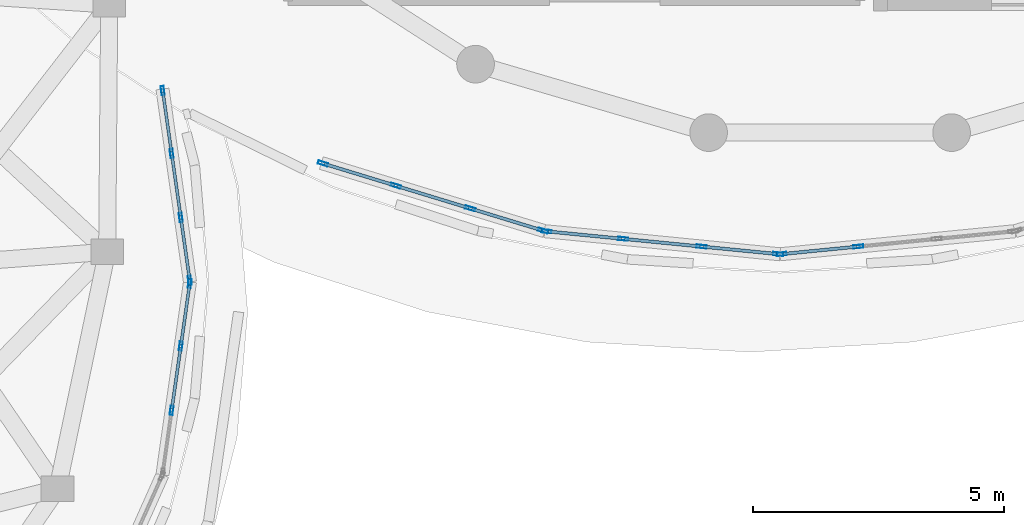
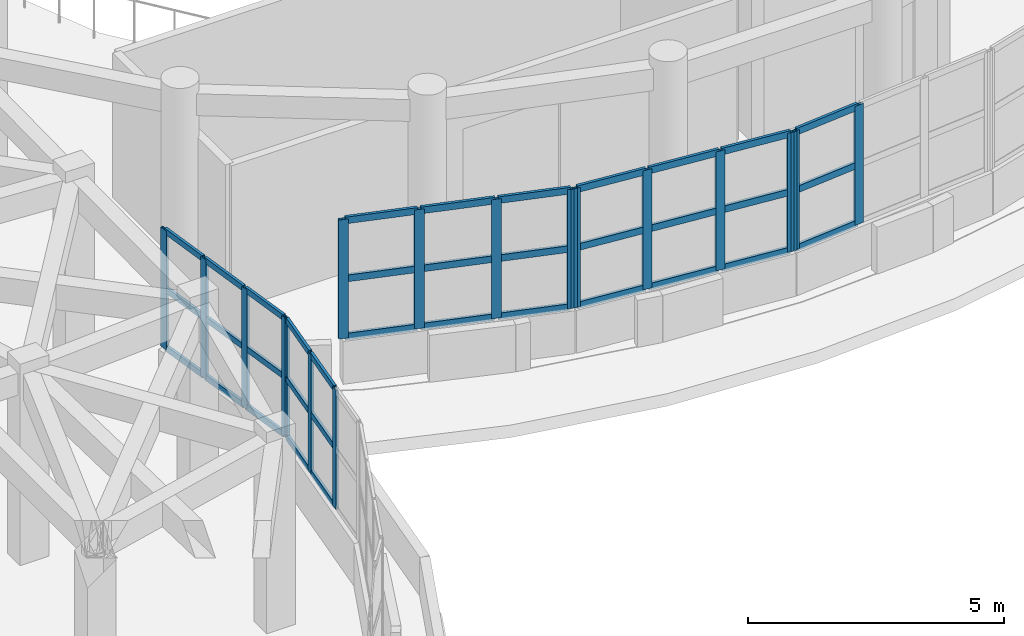
# One storey, part 20 of 98: 53 members, 5 elements without a shape of their own.
"""IFC4 building model written with IfcOpenShell, lengths in metres."""

from ifc_helpers import new_model, si_unit, direction, frame, origin, origin_2d, place, context, subcontext, project, spatial, hollow_rectangle, extrude, material, layer, layer_set, material_profile, profile_set, type_object, element, aggregate, save


model = new_model("IFC4")

# Units and contexts
model_context = context("Model", 3, precision=1e-05, world=origin(), true_north=direction((0.0, 1.0)))
body_context = subcontext(model_context, "Body", "Model", "MODEL_VIEW")
ifc_project = project(units=[si_unit("LENGTHUNIT", "METRE"), si_unit("AREAUNIT", "SQUARE_METRE"), si_unit("VOLUMEUNIT", "CUBIC_METRE"), si_unit("PLANEANGLEUNIT", "RADIAN"), si_unit("MASSUNIT", "GRAM", prefix="KILO")], contexts=[model_context])

# Site, building, storey
site_placement = place(None, origin())
site = spatial("IfcSite", under=ifc_project, at=site_placement, CompositionType="ELEMENT")
building_placement = place(site_placement, origin())
building = spatial("IfcBuilding", under=site, at=building_placement, Name="Pelvatis Terrace Science Centre", CompositionType="ELEMENT")
storey_placement = place(building_placement, frame((0.0, 0.0, 5.39990234375)))
storey = spatial("IfcBuildingStorey", under=building, at=storey_placement, Name="L01", CompositionType="ELEMENT", Elevation=5.39990234375)

# Curtain wall, members
ifc_material_1 = material(Name="Bronze-anodised aluminium and laminated glass", Category="aluminium")
ifc_layer_1 = layer(ifc_material_1, 0.179931640625)
ifc_layer_set_1 = layer_set([ifc_layer_1], Name="Bronze-anodised aluminium and laminated glass")
curtain_wall_type_1 = type_object("IfcCurtainWallType", Name="CW-RIBBON-A", PredefinedType="NOTDEFINED", material=ifc_layer_set_1)
curtain_wall_1_placement = place(storey_placement, origin())
curtain_wall_1 = element("IfcCurtainWall", 1, at=curtain_wall_1_placement, inside=storey, type_object=curtain_wall_type_1, Name="Ribbon curtain wall CW-022 (L01)", PredefinedType="NOTDEFINED")
ifc_material_2 = material(Name="Bronze-anodised aluminium 6063-T6", Category="aluminium")
ifc_material_profile_1 = material_profile(ifc_material_2, hollow_rectangle(XDim=0.06005859375, YDim=0.179931640625, WallThickness=0.00390625, at=origin_2d()), Name="ALU-MUL 60x180")
ifc_profile_set_1 = profile_set([ifc_material_profile_1], Name="Bronze-anodised aluminium 6063-T6")
member_type_1 = type_object("IfcMemberType", Name="CWM-60x180", PredefinedType="MULLION", material=ifc_profile_set_1)
member_1_placement = place(storey_placement, frame((65.245849609375, 34.82958984375, 1.02001953125), z_axis=(0.0, 0.0, 1.0), x_axis=(-0.989986059839, -0.141165156196, 0.0)))
member_1 = element("IfcMember", 2, at=member_1_placement, type_object=member_type_1, Name="CW-022 mullion 1", PredefinedType="MULLION", context=body_context, shape_type="SweptSolid", body=[
    extrude(hollow_rectangle(XDim=0.06005859375, YDim=0.179931640625, WallThickness=0.00390625, at=origin_2d()), origin(), (0.0, 0.0, 1.0), 2.840087890625),
])
member_2_placement = place(storey_placement, frame((65.0673828125, 36.080322265625, 1.02001953125), z_axis=(0.0, 0.0, 1.0), x_axis=(-0.989986059839, -0.141165156196, 0.0)))
member_2 = element("IfcMember", 3, at=member_2_placement, type_object=member_type_1, Name="CW-022 mullion 2", PredefinedType="MULLION", context=body_context, shape_type="SweptSolid", body=[
    extrude(hollow_rectangle(XDim=0.06005859375, YDim=0.179931640625, WallThickness=0.00390625, at=origin_2d()), origin(), (0.0, 0.0, 1.0), 2.840087890625),
])
member_3_placement = place(storey_placement, frame((64.884765625, 37.360595703125, 1.02001953125), z_axis=(0.0, 0.0, 1.0), x_axis=(-0.989986059839, -0.141165156196, 0.0)))
member_3 = element("IfcMember", 4, at=member_3_placement, type_object=member_type_1, Name="CW-022 mullion 3", PredefinedType="MULLION", context=body_context, shape_type="SweptSolid", body=[
    extrude(hollow_rectangle(XDim=0.06005859375, YDim=0.179931640625, WallThickness=0.00390625, at=origin_2d()), origin(), (0.0, 0.0, 1.0), 2.840087890625),
])
member_4_placement = place(storey_placement, frame((64.70654296875, 38.611328125, 1.02001953125), z_axis=(0.0, 0.0, 1.0), x_axis=(-0.989986059839, -0.141165156196, 0.0)))
member_4 = element("IfcMember", 5, at=member_4_placement, type_object=member_type_1, Name="CW-022 mullion 4", PredefinedType="MULLION", context=body_context, shape_type="SweptSolid", body=[
    extrude(hollow_rectangle(XDim=0.06005859375, YDim=0.179931640625, WallThickness=0.00390625, at=origin_2d()), origin(), (0.0, 0.0, 1.0), 2.840087890625),
])

curtain_wall_2_placement = place(storey_placement, origin())
curtain_wall_2 = element("IfcCurtainWall", 6, at=curtain_wall_2_placement, inside=storey, type_object=curtain_wall_type_1, Name="Ribbon curtain wall CW-042 (L01)", PredefinedType="NOTDEFINED")
member_5_placement = place(storey_placement, frame((64.884765625, 32.2392578125, 1.02001953125), z_axis=(0.0, 0.0, 1.0), x_axis=(-0.989986059839, 0.141165156196, 0.0)))
member_5 = element("IfcMember", 7, at=member_5_placement, type_object=member_type_1, Name="CW-042 mullion 2", PredefinedType="MULLION", context=body_context, shape_type="SweptSolid", body=[
    extrude(hollow_rectangle(XDim=0.06005859375, YDim=0.179931640625, WallThickness=0.00390625, at=origin_2d()), origin(), (0.0, 0.0, 1.0), 2.840087890625),
])
member_6_placement = place(storey_placement, frame((65.0673828125, 33.519775390625, 1.02001953125), z_axis=(0.0, 0.0, 1.0), x_axis=(-0.989986059839, 0.141165156196, 0.0)))
member_6 = element("IfcMember", 8, at=member_6_placement, type_object=member_type_1, Name="CW-042 mullion 3", PredefinedType="MULLION", context=body_context, shape_type="SweptSolid", body=[
    extrude(hollow_rectangle(XDim=0.06005859375, YDim=0.179931640625, WallThickness=0.00390625, at=origin_2d()), origin(), (0.0, 0.0, 1.0), 2.840087890625),
])
member_7_placement = place(storey_placement, frame((65.245849609375, 34.770263671875, 1.02001953125), z_axis=(0.0, 0.0, 1.0), x_axis=(-0.989986059839, 0.141165156196, 0.0)))
member_7 = element("IfcMember", 9, at=member_7_placement, type_object=member_type_1, Name="CW-042 mullion 4", PredefinedType="MULLION", context=body_context, shape_type="SweptSolid", body=[
    extrude(hollow_rectangle(XDim=0.06005859375, YDim=0.179931640625, WallThickness=0.00390625, at=origin_2d()), origin(), (0.0, 0.0, 1.0), 2.840087890625),
])

ifc_material_3 = material(Name="Bronze-anodised aluminium and laminated glass", Category="aluminium")
ifc_layer_2 = layer(ifc_material_3, 0.199951171875)
ifc_layer_set_2 = layer_set([ifc_layer_2], Name="Bronze-anodised aluminium and laminated glass")
curtain_wall_type_2 = type_object("IfcCurtainWallType", Name="CW-RIBBON-B", PredefinedType="NOTDEFINED", material=ifc_layer_set_2)
curtain_wall_3_placement = place(storey_placement, origin())
curtain_wall_3 = element("IfcCurtainWall", 10, at=curtain_wall_3_placement, inside=storey, type_object=curtain_wall_type_2, Name="Ribbon curtain wall CW-068 (L01)", PredefinedType="NOTDEFINED")
ifc_material_4 = material(Name="Bronze-anodised aluminium 6063-T6", Category="aluminium")
ifc_material_profile_2 = material_profile(ifc_material_4, hollow_rectangle(XDim=0.06494140625, YDim=0.199951171875, WallThickness=0.00439453125, at=origin_2d()), Name="ALU-MUL 65x200")
ifc_profile_set_2 = profile_set([ifc_material_profile_2], Name="Bronze-anodised aluminium 6063-T6")
member_type_2 = type_object("IfcMemberType", Name="CWM-65x200", PredefinedType="MULLION", material=ifc_profile_set_2)
member_8_placement = place(storey_placement, frame((67.897705078125, 37.15771484375, 1.02001953125), z_axis=(0.0, 0.0, 1.0), x_axis=(0.291750973492, 0.956494312302, 0.0)))
member_8 = element("IfcMember", 11, at=member_8_placement, type_object=member_type_2, Name="CW-068 mullion 1", PredefinedType="MULLION", context=body_context, shape_type="SweptSolid", body=[
    extrude(hollow_rectangle(XDim=0.06494140625, YDim=0.199951171875, WallThickness=0.00439453125, at=origin_2d()), origin(), (0.0, 0.0, 1.0), 2.840087890625),
])
member_9_placement = place(storey_placement, frame((69.349853515625, 36.71484375, 1.02001953125), z_axis=(0.0, 0.0, 1.0), x_axis=(0.291750973492, 0.956494312302, 0.0)))
member_9 = element("IfcMember", 12, at=member_9_placement, type_object=member_type_2, Name="CW-068 mullion 2", PredefinedType="MULLION", context=body_context, shape_type="SweptSolid", body=[
    extrude(hollow_rectangle(XDim=0.06494140625, YDim=0.199951171875, WallThickness=0.00439453125, at=origin_2d()), origin(), (0.0, 0.0, 1.0), 2.840087890625),
])
member_10_placement = place(storey_placement, frame((70.832763671875, 36.262451171875, 1.02001953125), z_axis=(0.0, 0.0, 1.0), x_axis=(0.291750973492, 0.956494312302, 0.0)))
member_10 = element("IfcMember", 13, at=member_10_placement, type_object=member_type_2, Name="CW-068 mullion 3", PredefinedType="MULLION", context=body_context, shape_type="SweptSolid", body=[
    extrude(hollow_rectangle(XDim=0.06494140625, YDim=0.199951171875, WallThickness=0.00439453125, at=origin_2d()), origin(), (0.0, 0.0, 1.0), 2.840087890625),
])
member_11_placement = place(storey_placement, frame((72.284912109375, 35.819580078125, 1.02001953125), z_axis=(0.0, 0.0, 1.0), x_axis=(0.291750973492, 0.956494312302, 0.0)))
member_11 = element("IfcMember", 14, at=member_11_placement, type_object=member_type_2, Name="CW-068 mullion 4", PredefinedType="MULLION", context=body_context, shape_type="SweptSolid", body=[
    extrude(hollow_rectangle(XDim=0.06494140625, YDim=0.199951171875, WallThickness=0.00439453125, at=origin_2d()), origin(), (0.0, 0.0, 1.0), 2.840087890625),
])

curtain_wall_4_placement = place(storey_placement, origin())
curtain_wall_4 = element("IfcCurtainWall", 15, at=curtain_wall_4_placement, inside=storey, type_object=curtain_wall_type_2, Name="Ribbon curtain wall CW-069 (L01)", PredefinedType="NOTDEFINED")
member_12_placement = place(storey_placement, frame((72.34814453125, 35.806884765625, 1.02001953125), z_axis=(0.0, 0.0, 1.0), x_axis=(0.097755456789, 0.995210465514, 0.0)))
member_12 = element("IfcMember", 16, at=member_12_placement, type_object=member_type_2, Name="CW-069 mullion 1", PredefinedType="MULLION", context=body_context, shape_type="SweptSolid", body=[
    extrude(hollow_rectangle(XDim=0.06494140625, YDim=0.199951171875, WallThickness=0.00439453125, at=origin_2d()), origin(), (0.0, 0.0, 1.0), 2.840087890625),
])
member_13_placement = place(storey_placement, frame((73.877197265625, 35.65673828125, 1.02001953125), z_axis=(0.0, 0.0, 1.0), x_axis=(0.097755456789, 0.995210465514, 0.0)))
member_13 = element("IfcMember", 17, at=member_13_placement, type_object=member_type_2, Name="CW-069 mullion 2", PredefinedType="MULLION", context=body_context, shape_type="SweptSolid", body=[
    extrude(hollow_rectangle(XDim=0.06494140625, YDim=0.199951171875, WallThickness=0.00439453125, at=origin_2d()), origin(), (0.0, 0.0, 1.0), 2.840087890625),
])
member_14_placement = place(storey_placement, frame((75.438720703125, 35.50341796875, 1.02001953125), z_axis=(0.0, 0.0, 1.0), x_axis=(0.097755456789, 0.995210465514, 0.0)))
member_14 = element("IfcMember", 18, at=member_14_placement, type_object=member_type_2, Name="CW-069 mullion 3", PredefinedType="MULLION", context=body_context, shape_type="SweptSolid", body=[
    extrude(hollow_rectangle(XDim=0.06494140625, YDim=0.199951171875, WallThickness=0.00439453125, at=origin_2d()), origin(), (0.0, 0.0, 1.0), 2.840087890625),
])
member_15_placement = place(storey_placement, frame((76.9677734375, 35.353271484375, 1.02001953125), z_axis=(0.0, 0.0, 1.0), x_axis=(0.097755456789, 0.995210465514, 0.0)))
member_15 = element("IfcMember", 19, at=member_15_placement, type_object=member_type_2, Name="CW-069 mullion 4", PredefinedType="MULLION", context=body_context, shape_type="SweptSolid", body=[
    extrude(hollow_rectangle(XDim=0.06494140625, YDim=0.199951171875, WallThickness=0.00439453125, at=origin_2d()), origin(), (0.0, 0.0, 1.0), 2.840087890625),
])

curtain_wall_5_placement = place(storey_placement, origin())
curtain_wall_5 = element("IfcCurtainWall", 20, at=curtain_wall_5_placement, inside=storey, type_object=curtain_wall_type_2, Name="Ribbon curtain wall CW-070 (L01)", PredefinedType="NOTDEFINED")
member_16_placement = place(storey_placement, frame((77.0322265625, 35.353271484375, 1.02001953125), z_axis=(0.0, 0.0, 1.0), x_axis=(-0.097755456789, 0.995210465514, 0.0)))
member_16 = element("IfcMember", 21, at=member_16_placement, type_object=member_type_2, Name="CW-070 mullion 1", PredefinedType="MULLION", context=body_context, shape_type="SweptSolid", body=[
    extrude(hollow_rectangle(XDim=0.06494140625, YDim=0.199951171875, WallThickness=0.00439453125, at=origin_2d()), origin(), (0.0, 0.0, 1.0), 2.840087890625),
])
member_17_placement = place(storey_placement, frame((78.561279296875, 35.50341796875, 1.02001953125), z_axis=(0.0, 0.0, 1.0), x_axis=(-0.097755456789, 0.995210465514, 0.0)))
member_17 = element("IfcMember", 22, at=member_17_placement, type_object=member_type_2, Name="CW-070 mullion 2", PredefinedType="MULLION", context=body_context, shape_type="SweptSolid", body=[
    extrude(hollow_rectangle(XDim=0.06494140625, YDim=0.199951171875, WallThickness=0.00439453125, at=origin_2d()), origin(), (0.0, 0.0, 1.0), 2.840087890625),
])

# Member
ifc_material_5 = material(Name="Bronze-anodised aluminium 6063-T6", Category="aluminium")
ifc_material_profile_3 = material_profile(ifc_material_5, hollow_rectangle(XDim=0.06005859375, YDim=0.139892578125, WallThickness=0.00390625, at=origin_2d()), Name="ALU-TRN 60x140")
ifc_profile_set_3 = profile_set([ifc_material_profile_3], Name="Bronze-anodised aluminium 6063-T6")
member_type_3 = type_object("IfcMemberType", Name="CWT-60x140", PredefinedType="USERDEFINED", material=ifc_profile_set_3)
member_18_placement = place(storey_placement, frame((65.241455078125, 34.859375, 1.050048828125), z_axis=(-0.141023637875, 0.990006229051, 0.0), x_axis=(-0.990006229051, -0.141023637875, 0.0)))
member_18 = element("IfcMember", 23, at=member_18_placement, type_object=member_type_3, Name="CW-022 transom 1.1", ObjectType="TRANSOM", PredefinedType="USERDEFINED", context=body_context, shape_type="SweptSolid", body=[
    extrude(hollow_rectangle(XDim=0.06005859375, YDim=0.139892578125, WallThickness=0.00390625, at=origin_2d()), origin(), (0.0, 0.0, 1.0), 1.203125),
])

member_19_placement = place(storey_placement, frame((65.241455078125, 34.859375, 2.440185546875), z_axis=(-0.141023637875, 0.990006229051, 0.0), x_axis=(-0.990006229051, -0.141023637875, 0.0)))
member_19 = element("IfcMember", 24, at=member_19_placement, type_object=member_type_3, Name="CW-022 transom 1.2", ObjectType="TRANSOM", PredefinedType="USERDEFINED", context=body_context, shape_type="SweptSolid", body=[
    extrude(hollow_rectangle(XDim=0.06005859375, YDim=0.139892578125, WallThickness=0.00390625, at=origin_2d()), origin(), (0.0, 0.0, 1.0), 1.203125),
])

member_20_placement = place(storey_placement, frame((65.241455078125, 34.859375, 3.830078125), z_axis=(-0.141023637875, 0.990006229051, 0.0), x_axis=(-0.990006229051, -0.141023637875, 0.0)))
member_20 = element("IfcMember", 25, at=member_20_placement, type_object=member_type_3, Name="CW-022 transom 1.3", ObjectType="TRANSOM", PredefinedType="USERDEFINED", context=body_context, shape_type="SweptSolid", body=[
    extrude(hollow_rectangle(XDim=0.06005859375, YDim=0.139892578125, WallThickness=0.00390625, at=origin_2d()), origin(), (0.0, 0.0, 1.0), 1.203125),
])

member_21_placement = place(storey_placement, frame((65.063232421875, 36.110107421875, 1.050048828125), z_axis=(-0.141144209191, 0.989989046511, 0.0), x_axis=(-0.989989046511, -0.141144209191, 0.0)))
member_21 = element("IfcMember", 26, at=member_21_placement, type_object=member_type_3, Name="CW-022 transom 2.1", ObjectType="TRANSOM", PredefinedType="USERDEFINED", context=body_context, shape_type="SweptSolid", body=[
    extrude(hollow_rectangle(XDim=0.06005859375, YDim=0.139892578125, WallThickness=0.00390625, at=origin_2d()), origin(), (0.0, 0.0, 1.0), 1.2333984375),
])

member_22_placement = place(storey_placement, frame((65.063232421875, 36.110107421875, 2.440185546875), z_axis=(-0.141144209191, 0.989989046511, 0.0), x_axis=(-0.989989046511, -0.141144209191, 0.0)))
member_22 = element("IfcMember", 27, at=member_22_placement, type_object=member_type_3, Name="CW-022 transom 2.2", ObjectType="TRANSOM", PredefinedType="USERDEFINED", context=body_context, shape_type="SweptSolid", body=[
    extrude(hollow_rectangle(XDim=0.06005859375, YDim=0.139892578125, WallThickness=0.00390625, at=origin_2d()), origin(), (0.0, 0.0, 1.0), 1.2333984375),
])

member_23_placement = place(storey_placement, frame((65.063232421875, 36.110107421875, 3.830078125), z_axis=(-0.141144209191, 0.989989046511, 0.0), x_axis=(-0.989989046511, -0.141144209191, 0.0)))
member_23 = element("IfcMember", 28, at=member_23_placement, type_object=member_type_3, Name="CW-022 transom 2.3", ObjectType="TRANSOM", PredefinedType="USERDEFINED", context=body_context, shape_type="SweptSolid", body=[
    extrude(hollow_rectangle(XDim=0.06005859375, YDim=0.139892578125, WallThickness=0.00390625, at=origin_2d()), origin(), (0.0, 0.0, 1.0), 1.2333984375),
])

member_24_placement = place(storey_placement, frame((64.880615234375, 37.390380859375, 1.050048828125), z_axis=(-0.141222505603, 0.989977880516, 0.0), x_axis=(-0.989977880516, -0.141222505603, 0.0)))
member_24 = element("IfcMember", 29, at=member_24_placement, type_object=member_type_3, Name="CW-022 transom 3.1", ObjectType="TRANSOM", PredefinedType="USERDEFINED", context=body_context, shape_type="SweptSolid", body=[
    extrude(hollow_rectangle(XDim=0.06005859375, YDim=0.139892578125, WallThickness=0.00390625, at=origin_2d()), origin(), (0.0, 0.0, 1.0), 1.203125),
])

member_25_placement = place(storey_placement, frame((64.880615234375, 37.390380859375, 2.440185546875), z_axis=(-0.141222505603, 0.989977880516, 0.0), x_axis=(-0.989977880516, -0.141222505603, 0.0)))
member_25 = element("IfcMember", 30, at=member_25_placement, type_object=member_type_3, Name="CW-022 transom 3.2", ObjectType="TRANSOM", PredefinedType="USERDEFINED", context=body_context, shape_type="SweptSolid", body=[
    extrude(hollow_rectangle(XDim=0.06005859375, YDim=0.139892578125, WallThickness=0.00390625, at=origin_2d()), origin(), (0.0, 0.0, 1.0), 1.203125),
])

member_26_placement = place(storey_placement, frame((64.880615234375, 37.390380859375, 3.830078125), z_axis=(-0.141222505603, 0.989977880516, 0.0), x_axis=(-0.989977880516, -0.141222505603, 0.0)))
member_26 = element("IfcMember", 31, at=member_26_placement, type_object=member_type_3, Name="CW-022 transom 3.3", ObjectType="TRANSOM", PredefinedType="USERDEFINED", context=body_context, shape_type="SweptSolid", body=[
    extrude(hollow_rectangle(XDim=0.06005859375, YDim=0.139892578125, WallThickness=0.00390625, at=origin_2d()), origin(), (0.0, 0.0, 1.0), 1.203125),
])

aggregate(curtain_wall_1, [member_1, member_2, member_3, member_4, member_18, member_19, member_20, member_21, member_22, member_23, member_24, member_25, member_26])

member_27_placement = place(storey_placement, frame((64.88916015625, 32.26904296875, 1.050048828125), z_axis=(0.141144209191, 0.989989046511, 0.0), x_axis=(-0.989989046511, 0.141144209191, 0.0)))
member_27 = element("IfcMember", 32, at=member_27_placement, type_object=member_type_3, Name="CW-042 transom 2.1", ObjectType="TRANSOM", PredefinedType="USERDEFINED", context=body_context, shape_type="SweptSolid", body=[
    extrude(hollow_rectangle(XDim=0.06005859375, YDim=0.139892578125, WallThickness=0.00390625, at=origin_2d()), origin(), (0.0, 0.0, 1.0), 1.2333984375),
])

member_28_placement = place(storey_placement, frame((64.88916015625, 32.26904296875, 2.440185546875), z_axis=(0.141144209191, 0.989989046511, 0.0), x_axis=(-0.989989046511, 0.141144209191, 0.0)))
member_28 = element("IfcMember", 33, at=member_28_placement, type_object=member_type_3, Name="CW-042 transom 2.2", ObjectType="TRANSOM", PredefinedType="USERDEFINED", context=body_context, shape_type="SweptSolid", body=[
    extrude(hollow_rectangle(XDim=0.06005859375, YDim=0.139892578125, WallThickness=0.00390625, at=origin_2d()), origin(), (0.0, 0.0, 1.0), 1.2333984375),
])

member_29_placement = place(storey_placement, frame((64.88916015625, 32.26904296875, 3.830078125), z_axis=(0.141144209191, 0.989989046511, 0.0), x_axis=(-0.989989046511, 0.141144209191, 0.0)))
member_29 = element("IfcMember", 34, at=member_29_placement, type_object=member_type_3, Name="CW-042 transom 2.3", ObjectType="TRANSOM", PredefinedType="USERDEFINED", context=body_context, shape_type="SweptSolid", body=[
    extrude(hollow_rectangle(XDim=0.06005859375, YDim=0.139892578125, WallThickness=0.00390625, at=origin_2d()), origin(), (0.0, 0.0, 1.0), 1.2333984375),
])

member_30_placement = place(storey_placement, frame((65.07177734375, 33.54931640625, 1.050048828125), z_axis=(0.140995314135, 0.990010263276, 0.0), x_axis=(-0.990010263276, 0.140995314135, 0.0)))
member_30 = element("IfcMember", 35, at=member_30_placement, type_object=member_type_3, Name="CW-042 transom 3.1", ObjectType="TRANSOM", PredefinedType="USERDEFINED", context=body_context, shape_type="SweptSolid", body=[
    extrude(hollow_rectangle(XDim=0.06005859375, YDim=0.139892578125, WallThickness=0.00390625, at=origin_2d()), origin(), (0.0, 0.0, 1.0), 1.203369140625),
])

member_31_placement = place(storey_placement, frame((65.07177734375, 33.54931640625, 2.440185546875), z_axis=(0.140995314135, 0.990010263276, 0.0), x_axis=(-0.990010263276, 0.140995314135, 0.0)))
member_31 = element("IfcMember", 36, at=member_31_placement, type_object=member_type_3, Name="CW-042 transom 3.2", ObjectType="TRANSOM", PredefinedType="USERDEFINED", context=body_context, shape_type="SweptSolid", body=[
    extrude(hollow_rectangle(XDim=0.06005859375, YDim=0.139892578125, WallThickness=0.00390625, at=origin_2d()), origin(), (0.0, 0.0, 1.0), 1.203369140625),
])

member_32_placement = place(storey_placement, frame((65.07177734375, 33.54931640625, 3.830078125), z_axis=(0.140995314135, 0.990010263276, 0.0), x_axis=(-0.990010263276, 0.140995314135, 0.0)))
member_32 = element("IfcMember", 37, at=member_32_placement, type_object=member_type_3, Name="CW-042 transom 3.3", ObjectType="TRANSOM", PredefinedType="USERDEFINED", context=body_context, shape_type="SweptSolid", body=[
    extrude(hollow_rectangle(XDim=0.06005859375, YDim=0.139892578125, WallThickness=0.00390625, at=origin_2d()), origin(), (0.0, 0.0, 1.0), 1.203369140625),
])

aggregate(curtain_wall_2, [member_5, member_6, member_7, member_27, member_28, member_29, member_30, member_31, member_32])

ifc_material_6 = material(Name="Bronze-anodised aluminium 6063-T6", Category="aluminium")
ifc_material_profile_4 = material_profile(ifc_material_6, hollow_rectangle(XDim=0.06494140625, YDim=0.159912109375, WallThickness=0.00390625, at=origin_2d()), Name="ALU-TRN 65x160")
ifc_profile_set_4 = profile_set([ifc_material_profile_4], Name="Bronze-anodised aluminium 6063-T6")
member_type_4 = type_object("IfcMemberType", Name="CWT-65x160", PredefinedType="USERDEFINED", material=ifc_profile_set_4)
member_33_placement = place(storey_placement, frame((67.928955078125, 37.148193359375, 1.052490234375), z_axis=(0.956502764857, -0.29172326068, 0.0), x_axis=(0.29172326068, 0.956502764857, 0.0)))
member_33 = element("IfcMember", 38, at=member_33_placement, type_object=member_type_4, Name="CW-068 transom 1.1", ObjectType="TRANSOM", PredefinedType="USERDEFINED", context=body_context, shape_type="SweptSolid", body=[
    extrude(hollow_rectangle(XDim=0.06494140625, YDim=0.159912109375, WallThickness=0.00390625, at=origin_2d()), origin(), (0.0, 0.0, 1.0), 1.452880859375),
])

member_34_placement = place(storey_placement, frame((67.928955078125, 37.148193359375, 2.440185546875), z_axis=(0.956502764857, -0.29172326068, 0.0), x_axis=(0.29172326068, 0.956502764857, 0.0)))
member_34 = element("IfcMember", 39, at=member_34_placement, type_object=member_type_4, Name="CW-068 transom 1.2", ObjectType="TRANSOM", PredefinedType="USERDEFINED", context=body_context, shape_type="SweptSolid", body=[
    extrude(hollow_rectangle(XDim=0.06494140625, YDim=0.159912109375, WallThickness=0.00390625, at=origin_2d()), origin(), (0.0, 0.0, 1.0), 1.452880859375),
])

member_35_placement = place(storey_placement, frame((67.928955078125, 37.148193359375, 3.82763671875), z_axis=(0.956502764857, -0.29172326068, 0.0), x_axis=(0.29172326068, 0.956502764857, 0.0)))
member_35 = element("IfcMember", 40, at=member_35_placement, type_object=member_type_4, Name="CW-068 transom 1.3", ObjectType="TRANSOM", PredefinedType="USERDEFINED", context=body_context, shape_type="SweptSolid", body=[
    extrude(hollow_rectangle(XDim=0.06494140625, YDim=0.159912109375, WallThickness=0.00390625, at=origin_2d()), origin(), (0.0, 0.0, 1.0), 1.452880859375),
])

member_36_placement = place(storey_placement, frame((69.380859375, 36.705322265625, 1.052490234375), z_axis=(0.95650453731, -0.291717449094, 0.0), x_axis=(0.291717449094, 0.95650453731, 0.0)))
member_36 = element("IfcMember", 41, at=member_36_placement, type_object=member_type_4, Name="CW-068 transom 2.1", ObjectType="TRANSOM", PredefinedType="USERDEFINED", context=body_context, shape_type="SweptSolid", body=[
    extrude(hollow_rectangle(XDim=0.06494140625, YDim=0.159912109375, WallThickness=0.00390625, at=origin_2d()), origin(), (0.0, 0.0, 1.0), 1.485595703125),
])

member_37_placement = place(storey_placement, frame((69.380859375, 36.705322265625, 2.440185546875), z_axis=(0.95650453731, -0.291717449094, 0.0), x_axis=(0.291717449094, 0.95650453731, 0.0)))
member_37 = element("IfcMember", 42, at=member_37_placement, type_object=member_type_4, Name="CW-068 transom 2.2", ObjectType="TRANSOM", PredefinedType="USERDEFINED", context=body_context, shape_type="SweptSolid", body=[
    extrude(hollow_rectangle(XDim=0.06494140625, YDim=0.159912109375, WallThickness=0.00390625, at=origin_2d()), origin(), (0.0, 0.0, 1.0), 1.485595703125),
])

member_38_placement = place(storey_placement, frame((69.380859375, 36.705322265625, 3.82763671875), z_axis=(0.95650453731, -0.291717449094, 0.0), x_axis=(0.291717449094, 0.95650453731, 0.0)))
member_38 = element("IfcMember", 43, at=member_38_placement, type_object=member_type_4, Name="CW-068 transom 2.3", ObjectType="TRANSOM", PredefinedType="USERDEFINED", context=body_context, shape_type="SweptSolid", body=[
    extrude(hollow_rectangle(XDim=0.06494140625, YDim=0.159912109375, WallThickness=0.00390625, at=origin_2d()), origin(), (0.0, 0.0, 1.0), 1.485595703125),
])

member_39_placement = place(storey_placement, frame((70.864013671875, 36.2529296875, 1.052490234375), z_axis=(0.956502764857, -0.29172326068, 0.0), x_axis=(0.29172326068, 0.956502764857, 0.0)))
member_39 = element("IfcMember", 44, at=member_39_placement, type_object=member_type_4, Name="CW-068 transom 3.1", ObjectType="TRANSOM", PredefinedType="USERDEFINED", context=body_context, shape_type="SweptSolid", body=[
    extrude(hollow_rectangle(XDim=0.06494140625, YDim=0.159912109375, WallThickness=0.00390625, at=origin_2d()), origin(), (0.0, 0.0, 1.0), 1.452880859375),
])

member_40_placement = place(storey_placement, frame((70.864013671875, 36.2529296875, 2.440185546875), z_axis=(0.956502764857, -0.29172326068, 0.0), x_axis=(0.29172326068, 0.956502764857, 0.0)))
member_40 = element("IfcMember", 45, at=member_40_placement, type_object=member_type_4, Name="CW-068 transom 3.2", ObjectType="TRANSOM", PredefinedType="USERDEFINED", context=body_context, shape_type="SweptSolid", body=[
    extrude(hollow_rectangle(XDim=0.06494140625, YDim=0.159912109375, WallThickness=0.00390625, at=origin_2d()), origin(), (0.0, 0.0, 1.0), 1.452880859375),
])

member_41_placement = place(storey_placement, frame((70.864013671875, 36.2529296875, 3.82763671875), z_axis=(0.956502764857, -0.29172326068, 0.0), x_axis=(0.29172326068, 0.956502764857, 0.0)))
member_41 = element("IfcMember", 46, at=member_41_placement, type_object=member_type_4, Name="CW-068 transom 3.3", ObjectType="TRANSOM", PredefinedType="USERDEFINED", context=body_context, shape_type="SweptSolid", body=[
    extrude(hollow_rectangle(XDim=0.06494140625, YDim=0.159912109375, WallThickness=0.00390625, at=origin_2d()), origin(), (0.0, 0.0, 1.0), 1.452880859375),
])

aggregate(curtain_wall_3, [member_8, member_9, member_10, member_11, member_33, member_34, member_35, member_36, member_37, member_38, member_39, member_40, member_41])

member_42_placement = place(storey_placement, frame((72.380615234375, 35.8037109375, 1.052490234375), z_axis=(0.995213032238, -0.097729322439, 0.0), x_axis=(0.097729322439, 0.995213032238, 0.0)))
member_42 = element("IfcMember", 47, at=member_42_placement, type_object=member_type_4, Name="CW-069 transom 1.1", ObjectType="TRANSOM", PredefinedType="USERDEFINED", context=body_context, shape_type="SweptSolid", body=[
    extrude(hollow_rectangle(XDim=0.06494140625, YDim=0.159912109375, WallThickness=0.00390625, at=origin_2d()), origin(), (0.0, 0.0, 1.0), 1.471435546875),
])

member_43_placement = place(storey_placement, frame((72.380615234375, 35.8037109375, 2.440185546875), z_axis=(0.995213032238, -0.097729322439, 0.0), x_axis=(0.097729322439, 0.995213032238, 0.0)))
member_43 = element("IfcMember", 48, at=member_43_placement, type_object=member_type_4, Name="CW-069 transom 1.2", ObjectType="TRANSOM", PredefinedType="USERDEFINED", context=body_context, shape_type="SweptSolid", body=[
    extrude(hollow_rectangle(XDim=0.06494140625, YDim=0.159912109375, WallThickness=0.00390625, at=origin_2d()), origin(), (0.0, 0.0, 1.0), 1.471435546875),
])

member_44_placement = place(storey_placement, frame((72.380615234375, 35.8037109375, 3.82763671875), z_axis=(0.995213032238, -0.097729322439, 0.0), x_axis=(0.097729322439, 0.995213032238, 0.0)))
member_44 = element("IfcMember", 49, at=member_44_placement, type_object=member_type_4, Name="CW-069 transom 1.3", ObjectType="TRANSOM", PredefinedType="USERDEFINED", context=body_context, shape_type="SweptSolid", body=[
    extrude(hollow_rectangle(XDim=0.06494140625, YDim=0.159912109375, WallThickness=0.00390625, at=origin_2d()), origin(), (0.0, 0.0, 1.0), 1.471435546875),
])

member_45_placement = place(storey_placement, frame((73.90966796875, 35.653564453125, 1.052490234375), z_axis=(0.995212437245, -0.097735381276, 0.0), x_axis=(0.097735381276, 0.995212437245, 0.0)))
member_45 = element("IfcMember", 50, at=member_45_placement, type_object=member_type_4, Name="CW-069 transom 2.1", ObjectType="TRANSOM", PredefinedType="USERDEFINED", context=body_context, shape_type="SweptSolid", body=[
    extrude(hollow_rectangle(XDim=0.06494140625, YDim=0.159912109375, WallThickness=0.00390625, at=origin_2d()), origin(), (0.0, 0.0, 1.0), 1.503662109375),
])

member_46_placement = place(storey_placement, frame((73.90966796875, 35.653564453125, 2.440185546875), z_axis=(0.995212437245, -0.097735381276, 0.0), x_axis=(0.097735381276, 0.995212437245, 0.0)))
member_46 = element("IfcMember", 51, at=member_46_placement, type_object=member_type_4, Name="CW-069 transom 2.2", ObjectType="TRANSOM", PredefinedType="USERDEFINED", context=body_context, shape_type="SweptSolid", body=[
    extrude(hollow_rectangle(XDim=0.06494140625, YDim=0.159912109375, WallThickness=0.00390625, at=origin_2d()), origin(), (0.0, 0.0, 1.0), 1.503662109375),
])

member_47_placement = place(storey_placement, frame((73.90966796875, 35.653564453125, 3.82763671875), z_axis=(0.995212437245, -0.097735381276, 0.0), x_axis=(0.097735381276, 0.995212437245, 0.0)))
member_47 = element("IfcMember", 52, at=member_47_placement, type_object=member_type_4, Name="CW-069 transom 2.3", ObjectType="TRANSOM", PredefinedType="USERDEFINED", context=body_context, shape_type="SweptSolid", body=[
    extrude(hollow_rectangle(XDim=0.06494140625, YDim=0.159912109375, WallThickness=0.00390625, at=origin_2d()), origin(), (0.0, 0.0, 1.0), 1.503662109375),
])

member_48_placement = place(storey_placement, frame((75.470947265625, 35.500244140625, 1.052490234375), z_axis=(0.995213032238, -0.097729322439, 0.0), x_axis=(0.097729322439, 0.995213032238, 0.0)))
member_48 = element("IfcMember", 53, at=member_48_placement, type_object=member_type_4, Name="CW-069 transom 3.1", ObjectType="TRANSOM", PredefinedType="USERDEFINED", context=body_context, shape_type="SweptSolid", body=[
    extrude(hollow_rectangle(XDim=0.06494140625, YDim=0.159912109375, WallThickness=0.00390625, at=origin_2d()), origin(), (0.0, 0.0, 1.0), 1.471435546875),
])

member_49_placement = place(storey_placement, frame((75.470947265625, 35.500244140625, 2.440185546875), z_axis=(0.995213032238, -0.097729322439, 0.0), x_axis=(0.097729322439, 0.995213032238, 0.0)))
member_49 = element("IfcMember", 54, at=member_49_placement, type_object=member_type_4, Name="CW-069 transom 3.2", ObjectType="TRANSOM", PredefinedType="USERDEFINED", context=body_context, shape_type="SweptSolid", body=[
    extrude(hollow_rectangle(XDim=0.06494140625, YDim=0.159912109375, WallThickness=0.00390625, at=origin_2d()), origin(), (0.0, 0.0, 1.0), 1.471435546875),
])

member_50_placement = place(storey_placement, frame((75.470947265625, 35.500244140625, 3.82763671875), z_axis=(0.995213032238, -0.097729322439, 0.0), x_axis=(0.097729322439, 0.995213032238, 0.0)))
member_50 = element("IfcMember", 55, at=member_50_placement, type_object=member_type_4, Name="CW-069 transom 3.3", ObjectType="TRANSOM", PredefinedType="USERDEFINED", context=body_context, shape_type="SweptSolid", body=[
    extrude(hollow_rectangle(XDim=0.06494140625, YDim=0.159912109375, WallThickness=0.00390625, at=origin_2d()), origin(), (0.0, 0.0, 1.0), 1.471435546875),
])

aggregate(curtain_wall_4, [member_12, member_13, member_14, member_15, member_42, member_43, member_44, member_45, member_46, member_47, member_48, member_49, member_50])

member_51_placement = place(storey_placement, frame((77.064697265625, 35.3564453125, 1.052490234375), z_axis=(0.995213032238, 0.097729322439, 0.0), x_axis=(-0.097729322439, 0.995213032238, 0.0)))
member_51 = element("IfcMember", 56, at=member_51_placement, type_object=member_type_4, Name="CW-070 transom 1.1", ObjectType="TRANSOM", PredefinedType="USERDEFINED", context=body_context, shape_type="SweptSolid", body=[
    extrude(hollow_rectangle(XDim=0.06494140625, YDim=0.159912109375, WallThickness=0.00390625, at=origin_2d()), origin(), (0.0, 0.0, 1.0), 1.471435546875),
])

member_52_placement = place(storey_placement, frame((77.064697265625, 35.3564453125, 2.440185546875), z_axis=(0.995213032238, 0.097729322439, 0.0), x_axis=(-0.097729322439, 0.995213032238, 0.0)))
member_52 = element("IfcMember", 57, at=member_52_placement, type_object=member_type_4, Name="CW-070 transom 1.2", ObjectType="TRANSOM", PredefinedType="USERDEFINED", context=body_context, shape_type="SweptSolid", body=[
    extrude(hollow_rectangle(XDim=0.06494140625, YDim=0.159912109375, WallThickness=0.00390625, at=origin_2d()), origin(), (0.0, 0.0, 1.0), 1.471435546875),
])

member_53_placement = place(storey_placement, frame((77.064697265625, 35.3564453125, 3.82763671875), z_axis=(0.995213032238, 0.097729322439, 0.0), x_axis=(-0.097729322439, 0.995213032238, 0.0)))
member_53 = element("IfcMember", 58, at=member_53_placement, type_object=member_type_4, Name="CW-070 transom 1.3", ObjectType="TRANSOM", PredefinedType="USERDEFINED", context=body_context, shape_type="SweptSolid", body=[
    extrude(hollow_rectangle(XDim=0.06494140625, YDim=0.159912109375, WallThickness=0.00390625, at=origin_2d()), origin(), (0.0, 0.0, 1.0), 1.471435546875),
])

aggregate(curtain_wall_5, [member_16, member_17, member_51, member_52, member_53])

save(model, "model.ifc")
